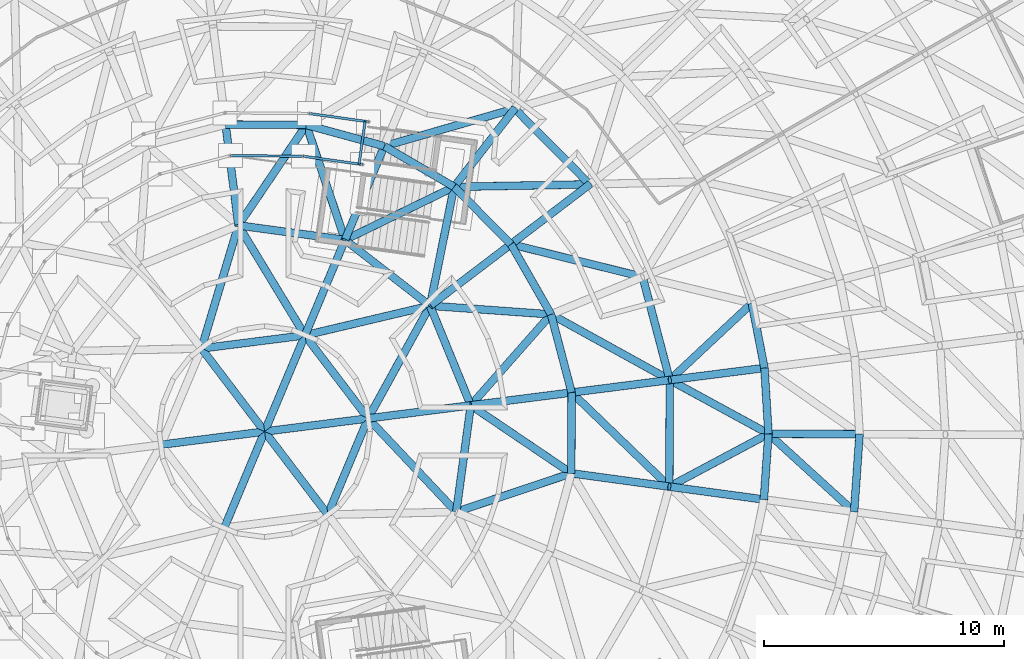
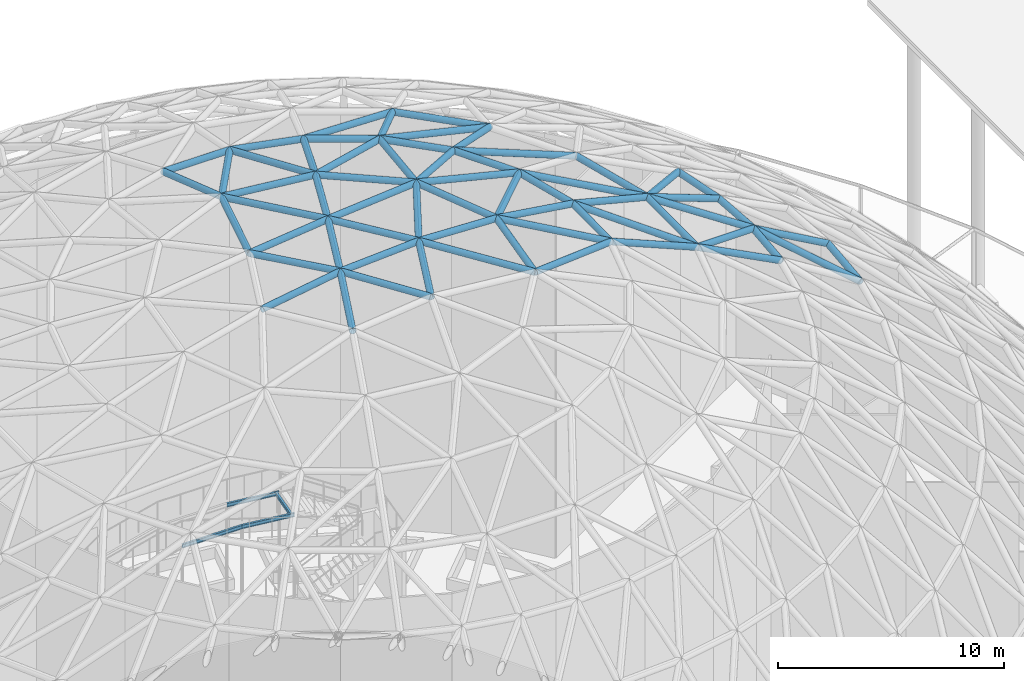
# One storey, part 107 of 226: 62 members, 4 beams.
"""IFC4 building model written with IfcOpenShell, lengths in metres."""

import ifcopenshell
import ifcopenshell.guid

model = None  # the IFC model being written
_history = None  # IfcOwnerHistory: only IFC2X3 demands one
_inside = {}  # id of a spatial element -> (the spatial element, [elements in it])
_under = {}  # id of a project, library or spatial element -> (it, [spatial elements below it])
_declared = {}  # id of a project -> (the project, [libraries it declares])
_typed = {}  # id of a type object -> (the type object, [elements of that type])
_made_of = {}  # id of a material, layer set ... -> (it, [elements and type objects made of it])


def new_model(schema):
    """Start an empty IFC model of exactly this schema.

    Asked for "IFC4X3", IfcOpenShell would pick the latest addendum, in which some entities
    have other attributes; the version numbers below select the first issue.
    IFC2X3 requires an IfcOwnerHistory on every rooted entity: one is made here for all.
    """
    global model, _history
    if schema == "IFC4X3":
        model = ifcopenshell.file(schema_version=(4, 3, 0, 0))
    else:
        model = ifcopenshell.file(schema=schema)
    _inside.clear()
    _under.clear()
    _declared.clear()
    _typed.clear()
    _made_of.clear()
    _history = None
    if model.schema == "IFC2X3":
        org = make("IfcOrganization", Name="unknown")
        user = make(
            "IfcPersonAndOrganization",
            ThePerson=make("IfcPerson", FamilyName="unknown"),
            TheOrganization=org,
        )
        app = make(
            "IfcApplication",
            ApplicationDeveloper=org,
            Version="unknown",
            ApplicationFullName="unknown",
            ApplicationIdentifier="unknown",
        )
        _history = make(
            "IfcOwnerHistory",
            OwningUser=user,
            OwningApplication=app,
            ChangeAction="ADDED",
            CreationDate=0,
        )
    return model


def make(cls, **values):
    """One entity of the class cls with the attributes given. An attribute that is None is left unset."""
    return model.create_entity(
        cls, **{name: value for name, value in values.items() if value is not None}
    )


def rooted(cls, **values):
    """An entity with a GlobalId (a new one), such as an element, a storey or a relation."""
    return make(cls, GlobalId=ifcopenshell.guid.new(), OwnerHistory=_history, **values)


def si_unit(unit_type, name, prefix=None):
    """IfcSIUnit, for example si_unit("LENGTHUNIT", "METRE", prefix="MILLI")."""
    return make("IfcSIUnit", UnitType=unit_type, Prefix=prefix, Name=name)


def assignment(units):
    """IfcUnitAssignment: the units of a project."""
    return None if units is None else make("IfcUnitAssignment", Units=units)


def point(xyz):
    """IfcCartesianPoint."""
    return None if xyz is None else make("IfcCartesianPoint", Coordinates=xyz)


def direction(xyz):
    """IfcDirection."""
    return None if xyz is None else make("IfcDirection", DirectionRatios=xyz)


def frame(location, z_axis=None, x_axis=None):
    """IfcAxis2Placement3D, a coordinate frame: its origin and axes. An axis left out is left unset."""
    return make(
        "IfcAxis2Placement3D",
        Location=point(location),
        Axis=direction(z_axis),
        RefDirection=direction(x_axis),
    )


def frame_2d(location, x_axis=None):
    """IfcAxis2Placement2D, a coordinate frame in the plane: its origin and x axis."""
    return make(
        "IfcAxis2Placement2D", Location=point(location), RefDirection=direction(x_axis)
    )


def origin():
    """The frame at (0, 0, 0) with its axes left unset."""
    return frame((0.0, 0.0, 0.0))


def origin_2d():
    """The frame at (0, 0) in the plane with its x axis left unset."""
    return frame_2d((0.0, 0.0))


def place(relative_to, where):
    """IfcLocalPlacement: puts the frame where relative to a parent placement (None: the world)."""
    return make(
        "IfcLocalPlacement", PlacementRelTo=relative_to, RelativePlacement=where
    )


def context(
    kind, dimensions, precision=None, world=None, true_north=None, identifier=None
):
    """IfcGeometricRepresentationContext, for example the 3D "Model" context."""
    return make(
        "IfcGeometricRepresentationContext",
        ContextIdentifier=identifier,
        ContextType=kind,
        CoordinateSpaceDimension=dimensions,
        Precision=precision,
        WorldCoordinateSystem=world,
        TrueNorth=true_north,
    )


def subcontext(parent, identifier, kind, view, scale=None):
    """IfcGeometricRepresentationSubContext, for example "Body" below "Model"."""
    return make(
        "IfcGeometricRepresentationSubContext",
        ContextIdentifier=identifier,
        ContextType=kind,
        ParentContext=parent,
        TargetScale=scale,
        TargetView=view,
    )


def project(units=None, contexts=None):
    """IfcProject with its units and contexts."""
    return rooted(
        "IfcProject",
        Name="project",
        RepresentationContexts=contexts,
        UnitsInContext=assignment(units),
    )


def spatial(cls, under=None, at=None, **own):
    """A site, building, storey or space (cls), placed at a placement, below another one or the project."""
    s = rooted(cls, ObjectPlacement=at, **own)
    if under is not None:
        _under.setdefault(under.id(), (under, []))[1].append(s)
    return s


def profile(cls, at=None, kind="AREA", **sizes):
    """A parametric profile (cls). Its sizes go by their IFC names, for example OverallWidth=200.0."""
    return make(cls, ProfileType=kind, Position=at, **sizes)


def hollow_circle(**sizes):
    """IfcCircleHollowProfileDef."""
    return profile("IfcCircleHollowProfileDef", **sizes)


def i_section(**sizes):
    """IfcIShapeProfileDef."""
    return profile("IfcIShapeProfileDef", **sizes)


def extrude(swept, where, along, depth):
    """IfcExtrudedAreaSolid: the profile swept, set in the frame where, extruded along a direction by depth."""
    return make(
        "IfcExtrudedAreaSolid",
        SweptArea=swept,
        Position=where,
        ExtrudedDirection=direction(along),
        Depth=depth,
    )


def shape(context_of_items, identifier, shape_type, items):
    """IfcShapeRepresentation: the items that make up one representation, for example the "Body"."""
    return make(
        "IfcShapeRepresentation",
        ContextOfItems=context_of_items,
        RepresentationIdentifier=identifier,
        RepresentationType=shape_type,
        Items=items,
    )


def material(Name=None, Category=None):
    """IfcMaterial."""
    return make("IfcMaterial", Name=Name, Category=Category)


def material_profile(
    of_material, cross_section, Name=None, Category=None, Priority=None
):
    """IfcMaterialProfile: a cross section and its material."""
    return make(
        "IfcMaterialProfile",
        Name=Name,
        Material=of_material,
        Profile=cross_section,
        Priority=Priority,
        Category=Category,
    )


def profile_set(profiles, Name=None, composite=None):
    """IfcMaterialProfileSet."""
    return make(
        "IfcMaterialProfileSet",
        Name=Name,
        MaterialProfiles=profiles,
        CompositeProfile=composite,
    )


def made_of(thing, what):
    """Note that an element or type object is made of a material, layer set ...; save() writes the relation."""
    if what is not None:
        _made_of.setdefault(what.id(), (what, []))[1].append(thing)
    return thing


def type_object(cls, material=None, **own):
    """A type object (cls), such as IfcWallType, which elements share."""
    return made_of(rooted(cls, **own), material)


def element(
    cls,
    number,
    at=None,
    inside=None,
    cuts=None,
    type_object=None,
    material=None,
    context=None,
    identifier="Body",
    shape_type=None,
    held_by="IfcProductDefinitionShape",
    body=None,
    shapes=None,
    **own,
):
    """One element of the class cls, such as IfcWall. Its Tag is "e" and its number.

    at: its placement. inside: the storey or other place that contains it. cuts: it is an
    opening in that element (IfcRelVoidsElement). A single representation is given by context,
    identifier, shape_type and body (its items); several are given by shapes. held_by: the class
    of the entity that holds the representations. save() writes the other relations.
    """
    e = rooted(cls, Tag="e%d" % number, ObjectPlacement=at, **own)
    if body is not None:
        shapes = [shape(context, identifier, shape_type, body)]
    if shapes is not None:
        e.Representation = make(held_by, Representations=shapes)
    if inside is not None:
        _inside.setdefault(inside.id(), (inside, []))[1].append(e)
    if cuts is not None:
        rooted(
            "IfcRelVoidsElement", RelatingBuildingElement=cuts, RelatedOpeningElement=e
        )
    if type_object is not None:
        _typed.setdefault(type_object.id(), (type_object, []))[1].append(e)
    return made_of(e, material)


def aggregate(whole, parts):
    """IfcRelAggregates: a whole, such as a stair, and the parts it consists of."""
    return rooted("IfcRelAggregates", RelatingObject=whole, RelatedObjects=parts)


def save(model, path):
    """Write the relations noted so far, then the file.

    IfcRelAggregates (storeys below a building ...), IfcRelContainedInSpatialStructure (elements
    in a storey), IfcRelDefinesByType, IfcRelAssociatesMaterial and IfcRelDeclares: one each for
    every whole, place, type object, material and project.
    """
    for whole, parts in _under.values():
        aggregate(whole, parts)
    for where, things in _inside.values():
        rooted(
            "IfcRelContainedInSpatialStructure",
            RelatedElements=things,
            RelatingStructure=where,
        )
    for kind, things in _typed.values():
        rooted("IfcRelDefinesByType", RelatedObjects=things, RelatingType=kind)
    for what, things in _made_of.values():
        rooted("IfcRelAssociatesMaterial", RelatedObjects=things, RelatingMaterial=what)
    for by, libraries in _declared.values():
        rooted("IfcRelDeclares", RelatingContext=by, RelatedDefinitions=libraries)
    model.write(path)


model = new_model("IFC4")

# Units and contexts
model_context = context("Model", 3, precision=1e-05, world=origin(), true_north=direction((0.0, 1.0)))
body_context = subcontext(model_context, "Body", "Model", "MODEL_VIEW")
ifc_project = project(units=[si_unit("LENGTHUNIT", "METRE"), si_unit("AREAUNIT", "SQUARE_METRE"), si_unit("VOLUMEUNIT", "CUBIC_METRE"), si_unit("PLANEANGLEUNIT", "RADIAN"), si_unit("MASSUNIT", "GRAM", prefix="KILO")], contexts=[model_context])

# Site, building, storey
site_placement = place(None, origin())
site = spatial("IfcSite", under=ifc_project, at=site_placement, CompositionType="ELEMENT")
building_placement = place(site_placement, origin())
building = spatial("IfcBuilding", under=site, at=building_placement, Name="Ceibo Conservatory and Research Tower", CompositionType="ELEMENT")
storey_placement = place(building_placement, origin())
storey = spatial("IfcBuildingStorey", under=building, at=storey_placement, Name="L00", CompositionType="ELEMENT", Elevation=0.0)

# Members
ifc_material_1 = material(Name="Steel ASTM A500 Gr C", Category="steel")
ifc_material_profile_1 = material_profile(ifc_material_1, hollow_circle(Radius=0.161865234375, WallThickness=0.01025390625, at=origin_2d()), Name="CHS 323.9x10.31")
ifc_profile_set_1 = profile_set([ifc_material_profile_1], Name="Steel ASTM A500 Gr C")
member_type_1 = type_object("IfcMemberType", Name="CHS 323.9x10.31", PredefinedType="NOTDEFINED", material=ifc_profile_set_1)
member_1_placement = place(storey_placement, frame((180.822021484375, 107.89208984375, 19.8759765625), z_axis=(-0.871625092103, 0.003639937744, 0.490159616523), x_axis=(-0.004175999565, -0.999991280476, 0.0)))
element("IfcMember", 1, at=member_1_placement, inside=storey, type_object=member_type_1, Name="Gridshell member A-M48-06", PredefinedType="RAFTER", context=body_context, shape_type="SweptSolid", body=[
    extrude(hollow_circle(Radius=0.161865234375, WallThickness=0.01025390625, at=origin_2d()), origin(), (0.0, 0.0, 1.0), 4.359619140625),
])
member_2_placement = place(storey_placement, frame((176.85400390625, 110.653076171875, 22.012939453125), z_axis=(-0.906010612223, -0.115218783885, 0.407270674589), x_axis=(0.126155520817, -0.992010476037, 0.0)))
element("IfcMember", 2, at=member_2_placement, inside=storey, type_object=member_type_1, Name="Gridshell member A-M01-07", PredefinedType="RAFTER", context=body_context, shape_type="SweptSolid", body=[
    extrude(hollow_circle(Radius=0.161865234375, WallThickness=0.01025390625, at=origin_2d()), origin(), (0.0, 0.0, 1.0), 4.358642578125),
])
member_3_placement = place(storey_placement, frame((176.830078125, 105.1650390625, 22.012939453125), z_axis=(-0.904990888306, 0.123155824209, 0.40721509678), x_axis=(-0.134842297895, -0.990867072164, 0.0)))
element("IfcMember", 3, at=member_3_placement, inside=storey, type_object=member_type_1, Name="Gridshell member A-M47-07", PredefinedType="RAFTER", context=body_context, shape_type="SweptSolid", body=[
    extrude(hollow_circle(Radius=0.161865234375, WallThickness=0.01025390625, at=origin_2d()), origin(), (0.0, 0.0, 1.0), 4.359130859375),
])
ifc_material_profile_2 = material_profile(ifc_material_1, hollow_circle(Radius=0.161865234375, WallThickness=0.00634765625, at=origin_2d()), Name="CHS 323.9x6.35")
ifc_profile_set_2 = profile_set([ifc_material_profile_2], Name="Steel ASTM A500 Gr C")
member_type_2 = type_object("IfcMemberType", Name="CHS 323.9x6.35", PredefinedType="NOTDEFINED", material=ifc_profile_set_2)
member_4_placement = place(storey_placement, frame((172.905029296875, 110.15087890625, 23.7880859375), z_axis=(-0.254693189694, 0.967021912432, 0.0), x_axis=(-0.967021912432, -0.254693189694, 0.0)))
element("IfcMember", 4, at=member_4_placement, inside=storey, type_object=member_type_2, Name="Gridshell member A-C08-01", PredefinedType="CHORD", context=body_context, shape_type="SweptSolid", body=[
    extrude(hollow_circle(Radius=0.161865234375, WallThickness=0.00634765625, at=origin_2d()), origin(), (0.0, 0.0, 1.0), 4.44873046875),
])
member_5_placement = place(storey_placement, frame((169.56494140625, 118.31494140625, 23.7880859375), z_axis=(-0.704026708202, 0.710173495801, 0.0), x_axis=(-0.710173495801, -0.704026708202, 0.0)))
element("IfcMember", 5, at=member_5_placement, inside=storey, type_object=member_type_2, Name="Gridshell member A-C08-03", PredefinedType="CHORD", context=body_context, shape_type="SweptSolid", body=[
    extrude(hollow_circle(Radius=0.161865234375, WallThickness=0.00634765625, at=origin_2d()), origin(), (0.0, 0.0, 1.0), 4.448486328125),
])
member_6_placement = place(storey_placement, frame((172.885009765625, 105.701904296875, 23.7880859375), z_axis=(0.004499762379, 0.999989876018, 0.0), x_axis=(-0.999989876018, 0.004499762379, 0.0)))
element("IfcMember", 6, at=member_6_placement, inside=storey, type_object=member_type_2, Name="Gridshell member A-C08-24", PredefinedType="CHORD", context=body_context, shape_type="SweptSolid", body=[
    extrude(hollow_circle(Radius=0.161865234375, WallThickness=0.00634765625, at=origin_2d()), origin(), (0.0, 0.0, 1.0), 4.448974609375),
])
member_7_placement = place(storey_placement, frame((168.80908203125, 109.62890625, 25.18408203125), z_axis=(-0.254564595212, 0.967055772365, 0.0), x_axis=(-0.967055772365, -0.254564595212, 0.0)))
element("IfcMember", 7, at=member_7_placement, inside=storey, type_object=member_type_2, Name="Gridshell member A-C09-01", PredefinedType="CHORD", context=body_context, shape_type="SweptSolid", body=[
    extrude(hollow_circle(Radius=0.161865234375, WallThickness=0.00634765625, at=origin_2d()), origin(), (0.0, 0.0, 1.0), 3.37109375),
])
member_8_placement = place(storey_placement, frame((167.950927734375, 112.888916015625, 25.18408203125), z_axis=(-0.496201327112, 0.868207488434, 0.0), x_axis=(-0.868207488434, -0.496201327112, 0.0)))
element("IfcMember", 8, at=member_8_placement, inside=storey, type_object=member_type_2, Name="Gridshell member A-C09-02", PredefinedType="CHORD", context=body_context, shape_type="SweptSolid", body=[
    extrude(hollow_circle(Radius=0.161865234375, WallThickness=0.00634765625, at=origin_2d()), origin(), (0.0, 0.0, 1.0), 3.371337890625),
])
member_9_placement = place(storey_placement, frame((166.278076171875, 115.81591796875, 25.18408203125), z_axis=(-0.704130445871, 0.710070640991, 0.0), x_axis=(-0.710070640991, -0.704130445871, 0.0)))
element("IfcMember", 9, at=member_9_placement, inside=storey, type_object=member_type_2, Name="Gridshell member A-C09-03", PredefinedType="CHORD", context=body_context, shape_type="SweptSolid", body=[
    extrude(hollow_circle(Radius=0.161865234375, WallThickness=0.00634765625, at=origin_2d()), origin(), (0.0, 0.0, 1.0), 3.3701171875),
])
member_10_placement = place(storey_placement, frame((163.905029296875, 118.208984375, 25.18408203125), z_axis=(-0.863873449663, 0.503708906976, 0.0), x_axis=(-0.503708906976, -0.863873449663, 0.0)))
element("IfcMember", 10, at=member_10_placement, inside=storey, type_object=member_type_2, Name="Gridshell member A-C09-04", PredefinedType="CHORD", context=body_context, shape_type="SweptSolid", body=[
    extrude(hollow_circle(Radius=0.161865234375, WallThickness=0.00634765625, at=origin_2d()), origin(), (0.0, 0.0, 1.0), 3.37109375),
])
member_11_placement = place(storey_placement, frame((160.992919921875, 119.906982421875, 25.18408203125), z_axis=(-0.964758806724, 0.263135791654, 0.0), x_axis=(-0.263135791654, -0.964758806724, 0.0)))
element("IfcMember", 11, at=member_11_placement, inside=storey, type_object=member_type_2, Name="Gridshell member A-C09-05", PredefinedType="CHORD", context=body_context, shape_type="SweptSolid", body=[
    extrude(hollow_circle(Radius=0.161865234375, WallThickness=0.00634765625, at=origin_2d()), origin(), (0.0, 0.0, 1.0), 3.370849609375),
])
for number, where, z_axis, x_axis, name in (
    (12, (157.740966796875, 120.7939453125, 25.18408203125), (-0.999989912122, 0.004491731837, 0.0), (-0.004491731837, -0.999989912122, 0.0), "Gridshell member A-C09-06"),
    (13, (168.7939453125, 106.259033203125, 25.18408203125), (0.004491731837, 0.999989912122, 0.0), (-0.999989912122, 0.004491731837, 0.0), "Gridshell member A-C09-24"),
):
    element("IfcMember", number, at=place(storey_placement, frame(where, z_axis=z_axis, x_axis=x_axis)), inside=storey, type_object=member_type_2, Name=name, PredefinedType="CHORD", context=body_context, shape_type="SweptSolid", body=[
        extrude(hollow_circle(Radius=0.161865234375, WallThickness=0.00634765625, at=origin_2d()), origin(), (0.0, 0.0, 1.0), 3.369873046875),
    ])
member_12_placement = place(storey_placement, frame((164.60205078125, 109.093994140625, 26.18994140625), z_axis=(-0.378664608666, 0.925533961637, 0.0), x_axis=(-0.925533961637, -0.378664608666, 0.0)))
element("IfcMember", 14, at=member_12_placement, inside=storey, type_object=member_type_2, Name="Gridshell member A-C10-01", PredefinedType="CHORD", context=body_context, shape_type="SweptSolid", body=[
    extrude(hollow_circle(Radius=0.161865234375, WallThickness=0.00634765625, at=origin_2d()), origin(), (0.0, 0.0, 1.0), 4.4892578125),
])
for number, where, z_axis, x_axis, name in (
    (15, (162.902099609375, 113.2490234375, 26.18994140625), (-0.790788259184, 0.612089804797, 0.0), (-0.612089804797, -0.790788259184, 0.0), "Gridshell member A-C10-02"),
    (16, (159.35302734375, 115.99609375, 26.18994140625), (-0.990843734744, 0.135013678267, 0.0), (-0.135013678267, -0.990843734744, 0.0), "Gridshell member A-C10-03"),
    (17, (163.99609375, 104.64697265625, 26.18994140625), (0.135013678267, 0.990843734744, 0.0), (-0.990843734744, 0.135013678267, 0.0), "Gridshell member A-C10-12"),
):
    element("IfcMember", number, at=place(storey_placement, frame(where, z_axis=z_axis, x_axis=x_axis)), inside=storey, type_object=member_type_2, Name=name, PredefinedType="CHORD", context=body_context, shape_type="SweptSolid", body=[
        extrude(hollow_circle(Radius=0.161865234375, WallThickness=0.00634765625, at=origin_2d()), origin(), (0.0, 0.0, 1.0), 4.488037109375),
    ])
for number, where, z_axis, x_axis, name in (
    (18, (160.319091796875, 108.549072265625, 26.797119140625), (-0.60522685969, 0.796053043654, 0.0), (-0.796053043654, -0.60522685969, 0.0), "Gridshell member A-C11-01"),
    (19, (157.68408203125, 112.014892578125, 26.797119140625), (-0.99202304735, -0.126056628254, 0.0), (0.126056628254, -0.99202304735, 0.0), "Gridshell member A-C11-02"),
):
    element("IfcMember", number, at=place(storey_placement, frame(where, z_axis=z_axis, x_axis=x_axis)), inside=storey, type_object=member_type_2, Name=name, PredefinedType="CHORD", context=body_context, shape_type="SweptSolid", body=[
        extrude(hollow_circle(Radius=0.161865234375, WallThickness=0.00634765625, at=origin_2d()), origin(), (0.0, 0.0, 1.0), 4.353759765625),
    ])
member_13_placement = place(storey_placement, frame((158.635009765625, 104.533935546875, 26.797119140625), z_axis=(0.386788206291, 0.922168576495, 0.0), x_axis=(-0.922168576495, 0.386788206291, 0.0)))
element("IfcMember", 20, at=member_13_placement, inside=storey, type_object=member_type_2, Name="Gridshell member A-C11-06", PredefinedType="CHORD", context=body_context, shape_type="SweptSolid", body=[
    extrude(hollow_circle(Radius=0.161865234375, WallThickness=0.00634765625, at=origin_2d()), origin(), (0.0, 0.0, 1.0), 4.35400390625),
])
member_14_placement = place(storey_placement, frame((180.594970703125, 104.653076171875, 19.8759765625), z_axis=(-0.67611283103, 0.615916382869, 0.404374144859), x_axis=(-0.673431726244, -0.739249423461, 0.0)))
element("IfcMember", 21, at=member_14_placement, inside=storey, type_object=member_type_2, Name="Gridshell diagonal member A-D06-47", PredefinedType="BRACE", context=body_context, shape_type="SweptSolid", body=[
    extrude(hollow_circle(Radius=0.161865234375, WallThickness=0.00634765625, at=origin_2d()), origin(), (0.0, 0.0, 1.0), 5.28466796875),
])
member_15_placement = place(storey_placement, frame((177.02197265625, 107.907958984375, 22.012939453125), z_axis=(-0.821238896265, 0.447412781829, 0.354102355141), x_axis=(-0.478410595782, -0.878136266102, 0.0)))
element("IfcMember", 22, at=member_15_placement, inside=storey, type_object=member_type_2, Name="Gridshell diagonal member A-D07-01", PredefinedType="BRACE", context=body_context, shape_type="SweptSolid", body=[
    extrude(hollow_circle(Radius=0.161865234375, WallThickness=0.00634765625, at=origin_2d()), origin(), (0.0, 0.0, 1.0), 5.01318359375),
])
member_16_placement = place(storey_placement, frame((176.3291015625, 113.35205078125, 22.012939453125), z_axis=(-0.68313712498, -0.638666237628, 0.354159717342), x_axis=(0.682930404518, -0.730483444429, 0.0)))
element("IfcMember", 23, at=member_16_placement, inside=storey, type_object=member_type_2, Name="Gridshell diagonal member A-D07-02", PredefinedType="BRACE", context=body_context, shape_type="SweptSolid", body=[
    extrude(hollow_circle(Radius=0.161865234375, WallThickness=0.00634765625, at=origin_2d()), origin(), (0.0, 0.0, 1.0), 5.01220703125),
])
member_17_placement = place(storey_placement, frame((177.02197265625, 107.907958984375, 22.012939453125), z_axis=(-0.825212206497, -0.440048244196, 0.354093712212), x_axis=(0.470534179101, -0.88238176902, 0.0)))
element("IfcMember", 24, at=member_17_placement, inside=storey, type_object=member_type_2, Name="Gridshell diagonal member A-D07-48", PredefinedType="BRACE", context=body_context, shape_type="SweptSolid", body=[
    extrude(hollow_circle(Radius=0.161865234375, WallThickness=0.00634765625, at=origin_2d()), origin(), (0.0, 0.0, 1.0), 5.01318359375),
])
for number, where, z_axis, x_axis, name in (
    (25, (172.905029296875, 110.15087890625, 23.7880859375), (-0.849761698392, 0.469647025797, 0.239450886626), (-0.483719152091, -0.875223275456, 0.0), "Gridshell diagonal member A-D08-01"),
    (26, (171.77197265625, 114.452880859375, 23.7880859375), (-0.942339970226, 0.233794785307, 0.239448071357), (-0.240799852287, -0.970574794201, 0.0), "Gridshell diagonal member A-D08-02"),
):
    element("IfcMember", number, at=place(storey_placement, frame(where, z_axis=z_axis, x_axis=x_axis)), inside=storey, type_object=member_type_2, Name=name, PredefinedType="BRACE", context=body_context, shape_type="SweptSolid", body=[
        extrude(hollow_circle(Radius=0.161865234375, WallThickness=0.00634765625, at=origin_2d()), origin(), (0.0, 0.0, 1.0), 5.830078125),
    ])
member_18_placement = place(storey_placement, frame((169.56494140625, 118.31494140625, 23.7880859375), z_axis=(-0.970743481033, -0.018172914238, 0.239430238733), x_axis=(0.018717334679, -0.999824815346, 0.0)))
element("IfcMember", 27, at=member_18_placement, inside=storey, type_object=member_type_2, Name="Gridshell diagonal member A-D08-03", PredefinedType="BRACE", context=body_context, shape_type="SweptSolid", body=[
    extrude(hollow_circle(Radius=0.161865234375, WallThickness=0.00634765625, at=origin_2d()), origin(), (0.0, 0.0, 1.0), 5.83056640625),
])
member_19_placement = place(storey_placement, frame((166.43310546875, 121.47412109375, 23.7880859375), z_axis=(-0.932979356483, -0.268760691525, 0.239410131507), x_axis=(0.276810755634, -0.96092445362, 0.0)))
element("IfcMember", 28, at=member_19_placement, inside=storey, type_object=member_type_2, Name="Gridshell diagonal member A-D08-04", PredefinedType="BRACE", context=body_context, shape_type="SweptSolid", body=[
    extrude(hollow_circle(Radius=0.161865234375, WallThickness=0.00634765625, at=origin_2d()), origin(), (0.0, 0.0, 1.0), 5.8310546875),
])
member_20_placement = place(storey_placement, frame((172.885009765625, 105.701904296875, 23.7880859375), z_axis=(-0.699187199192, 0.673640377299, 0.239470045222), x_axis=(-0.693828173256, -0.72014058766, 0.0)))
element("IfcMember", 29, at=member_20_placement, inside=storey, type_object=member_type_2, Name="Gridshell diagonal member A-D08-24", PredefinedType="BRACE", context=body_context, shape_type="SweptSolid", body=[
    extrude(hollow_circle(Radius=0.161865234375, WallThickness=0.00634765625, at=origin_2d()), origin(), (0.0, 0.0, 1.0), 5.82958984375),
])
member_21_placement = place(storey_placement, frame((168.7939453125, 106.259033203125, 25.18408203125), z_axis=(-0.812456869333, 0.549461221124, 0.194951793923), x_axis=(-0.560210069664, -0.828350576656, 0.0)))
element("IfcMember", 30, at=member_21_placement, inside=storey, type_object=member_type_2, Name="Gridshell diagonal member A-D09-01", PredefinedType="BRACE", context=body_context, shape_type="SweptSolid", body=[
    extrude(hollow_circle(Radius=0.161865234375, WallThickness=0.00634765625, at=origin_2d()), origin(), (0.0, 0.0, 1.0), 5.159423828125),
])
member_22_placement = place(storey_placement, frame((167.950927734375, 112.888916015625, 25.18408203125), z_axis=(-0.648975939348, -0.735414595118, 0.194924609617), x_axis=(0.749797030736, -0.661667902123, 0.0)))
element("IfcMember", 31, at=member_22_placement, inside=storey, type_object=member_type_2, Name="Gridshell diagonal member A-D09-02", PredefinedType="BRACE", context=body_context, shape_type="SweptSolid", body=[
    extrude(hollow_circle(Radius=0.161865234375, WallThickness=0.00634765625, at=origin_2d()), origin(), (0.0, 0.0, 1.0), 5.16015625),
])
member_23_placement = place(storey_placement, frame((167.950927734375, 112.888916015625, 25.18408203125), z_axis=(-0.978335727506, 0.069779748456, 0.194910212637), x_axis=(-0.071144217049, -0.997466039713, 0.0)))
element("IfcMember", 32, at=member_23_placement, inside=storey, type_object=member_type_2, Name="Gridshell diagonal member A-D09-03", PredefinedType="BRACE", context=body_context, shape_type="SweptSolid", body=[
    extrude(hollow_circle(Radius=0.161865234375, WallThickness=0.00634765625, at=origin_2d()), origin(), (0.0, 0.0, 1.0), 5.16064453125),
])
member_24_placement = place(storey_placement, frame((163.905029296875, 118.208984375, 25.18408203125), z_axis=(-0.194390920704, -0.961354903853, 0.194958761758), x_axis=(0.980162816681, -0.198193977699, 0.0)))
element("IfcMember", 33, at=member_24_placement, inside=storey, type_object=member_type_2, Name="Gridshell diagonal member A-D09-04", PredefinedType="BRACE", context=body_context, shape_type="SweptSolid", body=[
    extrude(hollow_circle(Radius=0.161865234375, WallThickness=0.00634765625, at=origin_2d()), origin(), (0.0, 0.0, 1.0), 5.159423828125),
])
for number, where, z_axis, x_axis, name in (
    (34, (163.905029296875, 118.208984375, 25.18408203125), (-0.882108642385, -0.428824496357, 0.194920225617), (0.437210589233, -0.899359161104, 0.0), "Gridshell diagonal member A-D09-05"),
    (35, (157.740966796875, 120.7939453125, 25.18408203125), (0.312389775214, -0.929741611768, 0.194918351338), (0.947923280966, 0.318498749451, 0.0), "Gridshell diagonal member A-D09-06"),
):
    element("IfcMember", number, at=place(storey_placement, frame(where, z_axis=z_axis, x_axis=x_axis)), inside=storey, type_object=member_type_2, Name=name, PredefinedType="BRACE", context=body_context, shape_type="SweptSolid", body=[
        extrude(hollow_circle(Radius=0.161865234375, WallThickness=0.00634765625, at=origin_2d()), origin(), (0.0, 0.0, 1.0), 5.160400390625),
    ])
member_25_placement = place(storey_placement, frame((157.740966796875, 120.7939453125, 25.18408203125), z_axis=(-0.549461221124, -0.812456869333, 0.194951793923), x_axis=(0.828350576656, -0.560210069664, 0.0)))
element("IfcMember", 36, at=member_25_placement, inside=storey, type_object=member_type_2, Name="Gridshell diagonal member A-D09-07", PredefinedType="BRACE", context=body_context, shape_type="SweptSolid", body=[
    extrude(hollow_circle(Radius=0.161865234375, WallThickness=0.00634765625, at=origin_2d()), origin(), (0.0, 0.0, 1.0), 5.159423828125),
])
member_26_placement = place(storey_placement, frame((168.7939453125, 106.259033203125, 25.18408203125), z_axis=(-0.929741611768, -0.312389775214, 0.194918351338), x_axis=(0.318498749451, -0.947923280966, 0.0)))
element("IfcMember", 37, at=member_26_placement, inside=storey, type_object=member_type_2, Name="Gridshell diagonal member A-D09-24", PredefinedType="BRACE", context=body_context, shape_type="SweptSolid", body=[
    extrude(hollow_circle(Radius=0.161865234375, WallThickness=0.00634765625, at=origin_2d()), origin(), (0.0, 0.0, 1.0), 5.160400390625),
])
member_27_placement = place(storey_placement, frame((163.99609375, 104.64697265625, 26.18994140625), z_axis=(-0.681447744108, 0.72316441764, 0.112526428497), x_axis=(-0.727786786463, -0.685803465615, 0.0)))
element("IfcMember", 38, at=member_27_placement, inside=storey, type_object=member_type_2, Name="Gridshell diagonal member A-D10-01", PredefinedType="BRACE", context=body_context, shape_type="SweptSolid", body=[
    extrude(hollow_circle(Radius=0.161865234375, WallThickness=0.00634765625, at=origin_2d()), origin(), (0.0, 0.0, 1.0), 5.395751953125),
])
member_28_placement = place(storey_placement, frame((162.902099609375, 113.2490234375, 26.18994140625), z_axis=(-0.47857991667, -0.870807370114, 0.112497944495), x_axis=(0.87637060805, -0.48163737121, 0.0)))
element("IfcMember", 39, at=member_28_placement, inside=storey, type_object=member_type_2, Name="Gridshell diagonal member A-D10-02", PredefinedType="BRACE", context=body_context, shape_type="SweptSolid", body=[
    extrude(hollow_circle(Radius=0.161865234375, WallThickness=0.00634765625, at=origin_2d()), origin(), (0.0, 0.0, 1.0), 5.397216796875),
])
member_29_placement = place(storey_placement, frame((162.902099609375, 113.2490234375, 26.18994140625), z_axis=(-0.966972102511, -0.228701819033, 0.112518580403), x_axis=(0.230163444164, -0.973151986573, 0.0)))
element("IfcMember", 40, at=member_29_placement, inside=storey, type_object=member_type_2, Name="Gridshell diagonal member A-D10-03", PredefinedType="BRACE", context=body_context, shape_type="SweptSolid", body=[
    extrude(hollow_circle(Radius=0.161865234375, WallThickness=0.00634765625, at=origin_2d()), origin(), (0.0, 0.0, 1.0), 5.396240234375),
])
member_30_placement = place(storey_placement, frame((154.906005859375, 116.60205078125, 26.18994140625), z_axis=(0.514737597537, -0.849934503922, 0.112501309876), x_axis=(0.855364721509, 0.518026247595, 0.0)))
element("IfcMember", 41, at=member_30_placement, inside=storey, type_object=member_type_2, Name="Gridshell diagonal member A-D10-04", PredefinedType="BRACE", context=body_context, shape_type="SweptSolid", body=[
    extrude(hollow_circle(Radius=0.161865234375, WallThickness=0.00634765625, at=origin_2d()), origin(), (0.0, 0.0, 1.0), 5.39697265625),
])
member_31_placement = place(storey_placement, frame((154.906005859375, 116.60205078125, 26.18994140625), z_axis=(-0.285560616682, -0.951732999548, 0.112514140318), x_axis=(0.957815006405, -0.287385478939, 0.0)))
element("IfcMember", 42, at=member_31_placement, inside=storey, type_object=member_type_2, Name="Gridshell diagonal member A-D10-05", PredefinedType="BRACE", context=body_context, shape_type="SweptSolid", body=[
    extrude(hollow_circle(Radius=0.161865234375, WallThickness=0.00634765625, at=origin_2d()), origin(), (0.0, 0.0, 1.0), 5.396484375),
])
ifc_material_profile_3 = material_profile(ifc_material_1, hollow_circle(Radius=0.161865234375, WallThickness=0.00830078125, at=origin_2d()), Name="CHS 323.9x8.38")
ifc_profile_set_3 = profile_set([ifc_material_profile_3], Name="Steel ASTM A500 Gr C")
member_type_3 = type_object("IfcMemberType", Name="CHS 323.9x8.38", PredefinedType="NOTDEFINED", material=ifc_profile_set_3)
member_32_placement = place(storey_placement, frame((180.594970703125, 104.653076171875, 19.8759765625), z_axis=(0.069927146598, 0.99755210098, 0.0), x_axis=(-0.99755210098, 0.069927146598, 0.0)))
element("IfcMember", 43, at=member_32_placement, inside=storey, type_object=member_type_3, Name="Gridshell member A-C06-47", PredefinedType="CHORD", context=body_context, shape_type="SweptSolid", body=[
    extrude(hollow_circle(Radius=0.161865234375, WallThickness=0.00830078125, at=origin_2d()), origin(), (0.0, 0.0, 1.0), 3.2470703125),
])
for number, where, z_axis, x_axis, name in (
    (44, (176.85400390625, 110.653076171875, 22.012939453125), (-0.190905308277, 0.981608457213, 0.0), (-0.981608457213, -0.190905308277, 0.0), "Gridshell member A-C07-01"),
    (45, (176.830078125, 105.1650390625, 22.012939453125), (0.069789366729, 0.997561749613, 0.0), (-0.997561749613, 0.069789366729, 0.0), "Gridshell member A-C07-47"),
):
    element("IfcMember", number, at=place(storey_placement, frame(where, z_axis=z_axis, x_axis=x_axis)), inside=storey, type_object=member_type_3, Name=name, PredefinedType="CHORD", context=body_context, shape_type="SweptSolid", body=[
        extrude(hollow_circle(Radius=0.161865234375, WallThickness=0.00830078125, at=origin_2d()), origin(), (0.0, 0.0, 1.0), 2.74951171875),
    ])
member_33_placement = place(storey_placement, frame((177.02197265625, 107.907958984375, 22.012939453125), z_axis=(-0.061073965774, 0.998133242961, 0.0), x_axis=(-0.998133242961, -0.061073965774, 0.0)))
element("IfcMember", 46, at=member_33_placement, inside=storey, type_object=member_type_3, Name="Gridshell member A-C07-48", PredefinedType="CHORD", context=body_context, shape_type="SweptSolid", body=[
    extrude(hollow_circle(Radius=0.161865234375, WallThickness=0.00830078125, at=origin_2d()), origin(), (0.0, 0.0, 1.0), 2.750244140625),
])
for number, where, z_axis, x_axis, name in (
    (47, (172.905029296875, 110.15087890625, 23.7880859375), (-0.939723106482, -0.119754902644, 0.320279950102), (0.126414021583, -0.991977567865, 0.0), "Gridshell member A-M01-08"),
    (48, (169.56494140625, 118.31494140625, 23.7880859375), (-0.754110073539, -0.573354431608, 0.320285330201), (0.605237673467, -0.79604482199, 0.0), "Gridshell member A-M03-08"),
):
    element("IfcMember", number, at=place(storey_placement, frame(where, z_axis=z_axis, x_axis=x_axis)), inside=storey, type_object=member_type_3, Name=name, PredefinedType="RAFTER", context=body_context, shape_type="SweptSolid", body=[
        extrude(hollow_circle(Radius=0.161865234375, WallThickness=0.00830078125, at=origin_2d()), origin(), (0.0, 0.0, 1.0), 4.358642578125),
    ])
member_34_placement = place(storey_placement, frame((166.43310546875, 121.47412109375, 23.7880859375), z_axis=(-0.579963783908, -0.749052211105, 0.320254265223), x_axis=(0.790696934655, -0.612207773168, 0.0)))
element("IfcMember", 49, at=member_34_placement, inside=storey, type_object=member_type_3, Name="Gridshell member A-M04-08", PredefinedType="RAFTER", context=body_context, shape_type="SweptSolid", body=[
    extrude(hollow_circle(Radius=0.161865234375, WallThickness=0.00830078125, at=origin_2d()), origin(), (0.0, 0.0, 1.0), 4.359130859375),
])
member_35_placement = place(storey_placement, frame((172.885009765625, 105.701904296875, 23.7880859375), z_axis=(-0.938653214636, 0.127827572704, 0.320297134409), x_axis=(-0.134936409985, -0.990854260353, 0.0)))
element("IfcMember", 50, at=member_35_placement, inside=storey, type_object=member_type_3, Name="Gridshell member A-M24-08", PredefinedType="RAFTER", context=body_context, shape_type="SweptSolid", body=[
    extrude(hollow_circle(Radius=0.161865234375, WallThickness=0.00830078125, at=origin_2d()), origin(), (0.0, 0.0, 1.0), 4.3583984375),
])
for number, where, z_axis, x_axis, name in (
    (51, (168.80908203125, 109.62890625, 25.18408203125), (-0.965235469423, -0.122726956448, 0.23077821112), (0.126131707722, -0.992013504095, 0.0), "Gridshell member A-M01-09"),
    (52, (166.278076171875, 115.81591796875, 25.18408203125), (-0.774544571179, -0.588918254366, 0.230772608711), (0.605255486176, -0.796031278565, 0.0), "Gridshell member A-M03-09"),
):
    element("IfcMember", number, at=place(storey_placement, frame(where, z_axis=z_axis, x_axis=x_axis)), inside=storey, type_object=member_type_3, Name=name, PredefinedType="RAFTER", context=body_context, shape_type="SweptSolid", body=[
        extrude(hollow_circle(Radius=0.161865234375, WallThickness=0.00830078125, at=origin_2d()), origin(), (0.0, 0.0, 1.0), 4.358642578125),
    ])
member_36_placement = place(storey_placement, frame((160.992919921875, 119.906982421875, 25.18408203125), z_axis=(-0.376256262715, -0.897312650355, 0.230783951524), x_axis=(0.922207627393, -0.386695089157, 0.0)))
element("IfcMember", 53, at=member_36_placement, inside=storey, type_object=member_type_3, Name="Gridshell member A-M05-09", PredefinedType="RAFTER", context=body_context, shape_type="SweptSolid", body=[
    extrude(hollow_circle(Radius=0.161865234375, WallThickness=0.00830078125, at=origin_2d()), origin(), (0.0, 0.0, 1.0), 4.3583984375),
])
member_37_placement = place(storey_placement, frame((154.37109375, 120.80908203125, 25.18408203125), z_axis=(0.122726956448, -0.965235469423, 0.23077821112), x_axis=(0.992013504095, 0.126131707722, 0.0)))
element("IfcMember", 54, at=member_37_placement, inside=storey, type_object=member_type_3, Name="Gridshell member A-M07-09", PredefinedType="RAFTER", context=body_context, shape_type="SweptSolid", body=[
    extrude(hollow_circle(Radius=0.161865234375, WallThickness=0.00830078125, at=origin_2d()), origin(), (0.0, 0.0, 1.0), 4.358642578125),
])
member_38_placement = place(storey_placement, frame((164.60205078125, 109.093994140625, 26.18994140625), z_axis=(-0.982336700409, -0.124982928536, 0.139261892146), x_axis=(0.126212798308, -0.992003190289, 0.0)))
element("IfcMember", 55, at=member_38_placement, inside=storey, type_object=member_type_3, Name="Gridshell member A-M01-10", PredefinedType="RAFTER", context=body_context, shape_type="SweptSolid", body=[
    extrude(hollow_circle(Radius=0.161865234375, WallThickness=0.00830078125, at=origin_2d()), origin(), (0.0, 0.0, 1.0), 4.35986328125),
])
member_39_placement = place(storey_placement, frame((159.35302734375, 115.99609375, 26.18994140625), z_axis=(-0.382841955898, -0.91325391674, 0.139281442996), x_axis=(0.922243171985, -0.386610309909, 0.0)))
element("IfcMember", 56, at=member_39_placement, inside=storey, type_object=member_type_3, Name="Gridshell member A-M03-10", PredefinedType="RAFTER", context=body_context, shape_type="SweptSolid", body=[
    extrude(hollow_circle(Radius=0.161865234375, WallThickness=0.00830078125, at=origin_2d()), origin(), (0.0, 0.0, 1.0), 4.359375),
])
member_40_placement = place(storey_placement, frame((160.319091796875, 108.549072265625, 26.797119140625), z_axis=(-0.990940765422, -0.125975116242, 0.046547497375), x_axis=(0.126111811634, -0.992016033624, 0.0)))
element("IfcMember", 57, at=member_40_placement, inside=storey, type_object=member_type_3, Name="Gridshell member A-M01-11", PredefinedType="RAFTER", context=body_context, shape_type="SweptSolid", body=[
    extrude(hollow_circle(Radius=0.161865234375, WallThickness=0.00830078125, at=origin_2d()), origin(), (0.0, 0.0, 1.0), 4.358642578125),
])
member_41_placement = place(storey_placement, frame((157.68408203125, 112.014892578125, 26.797119140625), z_axis=(-0.38638892548, -0.921160608803, 0.046548158462), x_axis=(0.922160187109, -0.386808207399, 0.0)))
element("IfcMember", 58, at=member_41_placement, inside=storey, type_object=member_type_3, Name="Gridshell member A-M02-11", PredefinedType="RAFTER", context=body_context, shape_type="SweptSolid", body=[
    extrude(hollow_circle(Radius=0.161865234375, WallThickness=0.00830078125, at=origin_2d()), origin(), (0.0, 0.0, 1.0), 4.3583984375),
])
for number, where, z_axis, x_axis, name in (
    (59, (153.364990234375, 111.466064453125, 26.797119140625), (0.604543883249, -0.795210739414, 0.046546462242), (0.796073582844, 0.605199843603, 0.0), "Gridshell member A-M03-11"),
    (60, (151.680908203125, 107.450927734375, 26.797119140625), (0.990940765422, 0.125975116242, 0.046547497375), (-0.126111811634, 0.992016033624, 0.0), "Gridshell member A-M04-11"),
):
    element("IfcMember", number, at=place(storey_placement, frame(where, z_axis=z_axis, x_axis=x_axis)), inside=storey, type_object=member_type_3, Name=name, PredefinedType="RAFTER", context=body_context, shape_type="SweptSolid", body=[
        extrude(hollow_circle(Radius=0.161865234375, WallThickness=0.00830078125, at=origin_2d()), origin(), (0.0, 0.0, 1.0), 4.358642578125),
    ])
member_42_placement = place(storey_placement, frame((154.31591796875, 103.985107421875, 26.797119140625), z_axis=(0.38638892548, 0.921160608803, 0.046548158462), x_axis=(-0.922160187109, 0.386808207399, 0.0)))
element("IfcMember", 61, at=member_42_placement, inside=storey, type_object=member_type_3, Name="Gridshell member A-M05-11", PredefinedType="RAFTER", context=body_context, shape_type="SweptSolid", body=[
    extrude(hollow_circle(Radius=0.161865234375, WallThickness=0.00830078125, at=origin_2d()), origin(), (0.0, 0.0, 1.0), 4.3583984375),
])
member_43_placement = place(storey_placement, frame((158.635009765625, 104.533935546875, 26.797119140625), z_axis=(-0.604543883249, 0.795210739414, 0.046546462242), x_axis=(-0.796073582844, -0.605199843603, 0.0)))
element("IfcMember", 62, at=member_43_placement, inside=storey, type_object=member_type_3, Name="Gridshell member A-M06-11", PredefinedType="RAFTER", context=body_context, shape_type="SweptSolid", body=[
    extrude(hollow_circle(Radius=0.161865234375, WallThickness=0.00830078125, at=origin_2d()), origin(), (0.0, 0.0, 1.0), 4.358642578125),
])

# Beams
ifc_material_2 = material(Name="Steel S355J2", Category="steel")
ifc_material_profile_4 = material_profile(ifc_material_2, i_section(OverallWidth=0.10009765625, OverallDepth=0.199951171875, WebThickness=0.005615234375, FlangeThickness=0.008544921875, at=origin_2d()), Name="IPE 200")
ifc_profile_set_4 = profile_set([ifc_material_profile_4], Name="Steel S355J2")
beam_type = type_object("IfcBeamType", Name="IPE 200 walkway beam", PredefinedType="BEAM", material=ifc_profile_set_4)
beam_1_placement = place(storey_placement, frame((157.614501953125, 119.487060546875, 5.699951171875), z_axis=(-0.999967185374, 0.008101121819, 0.0), x_axis=(-0.008101121819, -0.999967185374, 0.0)))
element("IfcBeam", 63, at=beam_1_placement, inside=storey, type_object=beam_type, Name="Walkway beam WK-B01I", PredefinedType="BEAM", context=body_context, shape_type="SweptSolid", body=[
    extrude(i_section(OverallWidth=0.10009765625, OverallDepth=0.199951171875, WebThickness=0.005615234375, FlangeThickness=0.008544921875, at=origin_2d()), origin(), (0.0, 0.0, 1.0), 3.043701171875),
])
for number, where, z_axis, x_axis, name in (
    (64, (160.340576171875, 120.921630859375, 5.699951171875), (-0.990269200152, 0.139165050317, 0.0), (-0.139165050317, -0.990269200152, 0.0), "Walkway beam WK-PB1O"),
    (65, (160.090087890625, 119.13916015625, 5.699951171875), (-0.990269200152, 0.139165050317, 0.0), (-0.139165050317, -0.990269200152, 0.0), "Walkway beam WK-PB1I"),
):
    element("IfcBeam", number, at=place(storey_placement, frame(where, z_axis=z_axis, x_axis=x_axis)), inside=storey, type_object=beam_type, Name=name, PredefinedType="BEAM", context=body_context, shape_type="SweptSolid", body=[
        extrude(i_section(OverallWidth=0.10009765625, OverallDepth=0.199951171875, WebThickness=0.005615234375, FlangeThickness=0.008544921875, at=origin_2d()), origin(), (0.0, 0.0, 1.0), 2.5),
    ])
beam_2_placement = place(storey_placement, frame((160.192138671875, 120.942626953125, 5.699951171875), z_axis=(-0.139161311926, -0.990269725511, 0.0), x_axis=(0.990269725511, -0.139161311926, 0.0)))
element("IfcBeam", 66, at=beam_2_placement, inside=storey, type_object=beam_type, Name="Walkway beam WK-PX1", PredefinedType="BEAM", context=body_context, shape_type="SweptSolid", body=[
    extrude(i_section(OverallWidth=0.10009765625, OverallDepth=0.199951171875, WebThickness=0.005615234375, FlangeThickness=0.008544921875, at=origin_2d()), origin(), (0.0, 0.0, 1.0), 1.800048828125),
])

save(model, "model.ifc")
